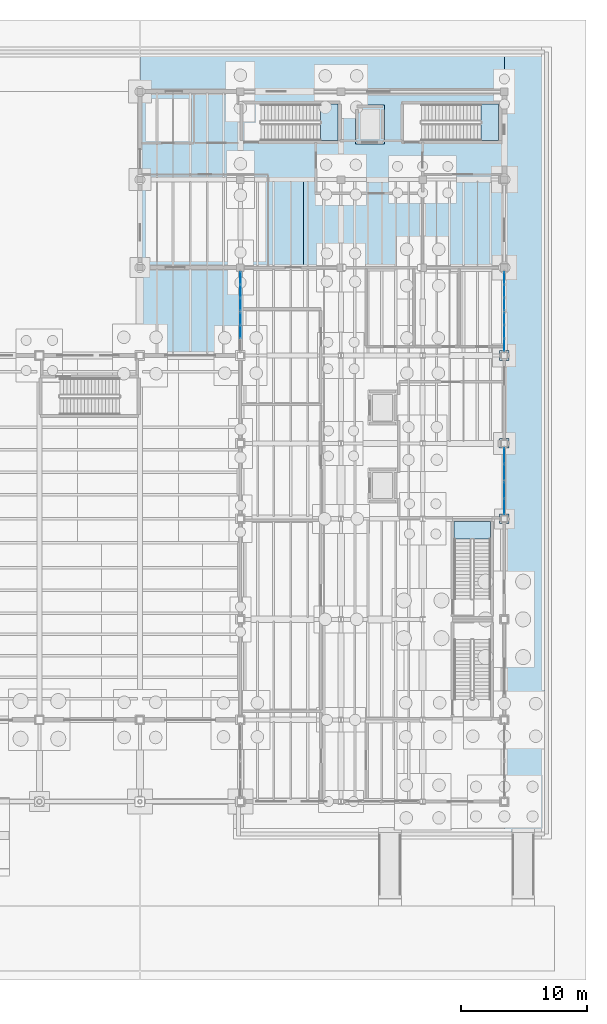
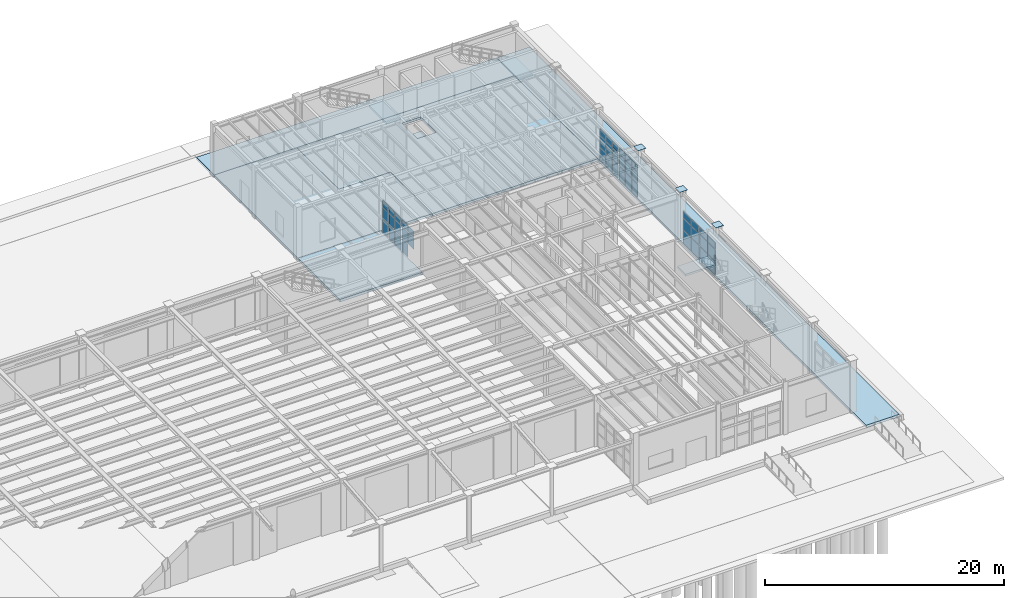
# One storey, part 54 of 86: 47 plates, 9 slabs, 9 elements without a shape of their own.
"""IFC4 building model written with IfcOpenShell, lengths in metres."""

from ifc_helpers import new_model, si_unit, direction, frame, origin, origin_2d, place, context, subcontext, project, spatial, polyline, rectangle, outline, extrude, material, layer, layer_set, material_profile, profile_set, type_object, element, aggregate, save


model = new_model("IFC4")

# Units and contexts
model_context = context("Model", 3, precision=1e-05, world=origin(), true_north=direction((0.0, 1.0)))
body_context = subcontext(model_context, "Body", "Model", "MODEL_VIEW")
ifc_project = project(units=[si_unit("LENGTHUNIT", "METRE"), si_unit("AREAUNIT", "SQUARE_METRE"), si_unit("VOLUMEUNIT", "CUBIC_METRE"), si_unit("PLANEANGLEUNIT", "RADIAN"), si_unit("MASSUNIT", "GRAM", prefix="KILO"), si_unit("THERMODYNAMICTEMPERATUREUNIT", "KELVIN"), si_unit("POWERUNIT", "WATT")], contexts=[model_context])

# Site, building, storey
site_placement = place(None, origin())
site = spatial("IfcSite", under=ifc_project, at=site_placement, CompositionType="ELEMENT")
building_placement = place(site_placement, origin())
building = spatial("IfcBuilding", under=site, at=building_placement, Name="Zhenchuan Central Fire Station", CompositionType="ELEMENT")
storey_placement = place(building_placement, frame((0.0, 0.0, 0.449951171875)))
storey = spatial("IfcBuildingStorey", under=building, at=storey_placement, Name="L01", CompositionType="ELEMENT", Elevation=0.449951171875)

# Curtain wall, plates
ifc_material_1 = material(Name="Anodised aluminium and low-E glazing", Category="aluminium")
curtain_wall_type_1 = type_object("IfcCurtainWallType", Name="CW-MOD-07", PredefinedType="USERDEFINED", material=ifc_material_1)
curtain_wall_1_placement = place(storey_placement, origin())
curtain_wall_1 = element("IfcCurtainWall", 1, at=curtain_wall_1_placement, inside=storey, type_object=curtain_wall_type_1, Name="L01 Unitised Curtain Wall 076", ObjectType="UNITISED GLAZING", PredefinedType="USERDEFINED")
ifc_material_2 = material(Name="Laminated low-E double glazing", Category="glass")
ifc_layer_1 = layer(ifc_material_2, 0.011962890625, Name="Laminated low-E double glazing", Category="glass")
ifc_layer_set_1 = layer_set([ifc_layer_1], Name="Laminated low-E double glazing")
plate_type_1 = type_object("IfcPlateType", Name="CW-PNL12", PredefinedType="CURTAIN_PANEL", material=ifc_layer_set_1)
plate_1_placement = place(storey_placement, frame((161.0, 23.481689453125, 0.06103515625), z_axis=(0.0, 0.0, 1.0), x_axis=(0.0, 1.0, 0.0)))
plate_1 = element("IfcPlate", 2, at=plate_1_placement, type_object=plate_type_1, Name="CW-07 panel 1.1", PredefinedType="CURTAIN_PANEL", context=body_context, shape_type="SweptSolid", body=[
    extrude(rectangle(XDim=1.2333984375, YDim=0.011962890625, at=origin_2d()), origin(), (0.0, 0.0, 1.0), 1.33447265625),
])
plate_2_placement = place(storey_placement, frame((161.0, 23.481689453125, 1.46044921875), z_axis=(0.0, 0.0, 1.0), x_axis=(0.0, 1.0, 0.0)))
plate_2 = element("IfcPlate", 3, at=plate_2_placement, type_object=plate_type_1, Name="CW-07 panel 1.2", PredefinedType="CURTAIN_PANEL", context=body_context, shape_type="SweptSolid", body=[
    extrude(rectangle(XDim=1.2333984375, YDim=0.011962890625, at=origin_2d()), origin(), (0.0, 0.0, 1.0), 1.158935546875),
])
plate_3_placement = place(storey_placement, frame((161.0, 23.481689453125, 2.6845703125), z_axis=(0.0, 0.0, 1.0), x_axis=(0.0, 1.0, 0.0)))
plate_3 = element("IfcPlate", 4, at=plate_3_placement, type_object=plate_type_1, Name="CW-07 panel 1.3", PredefinedType="CURTAIN_PANEL", context=body_context, shape_type="SweptSolid", body=[
    extrude(rectangle(XDim=1.2333984375, YDim=0.011962890625, at=origin_2d()), origin(), (0.0, 0.0, 1.0), 0.650390625),
])
plate_4_placement = place(storey_placement, frame((161.0, 24.7802734375, 0.06103515625), z_axis=(0.0, 0.0, 1.0), x_axis=(0.0, 1.0, 0.0)))
plate_4 = element("IfcPlate", 5, at=plate_4_placement, type_object=plate_type_1, Name="CW-07 panel 2.1", PredefinedType="CURTAIN_PANEL", context=body_context, shape_type="SweptSolid", body=[
    extrude(rectangle(XDim=1.2333984375, YDim=0.011962890625, at=origin_2d()), origin(), (0.0, 0.0, 1.0), 1.33447265625),
])
plate_5_placement = place(storey_placement, frame((161.0, 24.7802734375, 1.46044921875), z_axis=(0.0, 0.0, 1.0), x_axis=(0.0, 1.0, 0.0)))
plate_5 = element("IfcPlate", 6, at=plate_5_placement, type_object=plate_type_1, Name="CW-07 panel 2.2", PredefinedType="CURTAIN_PANEL", context=body_context, shape_type="SweptSolid", body=[
    extrude(rectangle(XDim=1.2333984375, YDim=0.011962890625, at=origin_2d()), origin(), (0.0, 0.0, 1.0), 1.158935546875),
])
plate_6_placement = place(storey_placement, frame((161.0, 24.7802734375, 2.6845703125), z_axis=(0.0, 0.0, 1.0), x_axis=(0.0, 1.0, 0.0)))
plate_6 = element("IfcPlate", 7, at=plate_6_placement, type_object=plate_type_1, Name="CW-07 panel 2.3", PredefinedType="CURTAIN_PANEL", context=body_context, shape_type="SweptSolid", body=[
    extrude(rectangle(XDim=1.2333984375, YDim=0.011962890625, at=origin_2d()), origin(), (0.0, 0.0, 1.0), 0.650390625),
])
aggregate(curtain_wall_1, [plate_1, plate_2, plate_3, plate_4, plate_5, plate_6])

curtain_wall_type_2 = type_object("IfcCurtainWallType", Name="CW-MOD-08", PredefinedType="USERDEFINED", material=ifc_material_1)
curtain_wall_2_placement = place(storey_placement, origin())
curtain_wall_2 = element("IfcCurtainWall", 8, at=curtain_wall_2_placement, inside=storey, type_object=curtain_wall_type_2, Name="L01 Unitised Curtain Wall 077", ObjectType="UNITISED GLAZING", PredefinedType="USERDEFINED")
plate_7_placement = place(storey_placement, frame((161.0, 26.2197265625, 0.06103515625), z_axis=(0.0, 0.0, 1.0), x_axis=(0.0, 1.0, 0.0)))
plate_7 = element("IfcPlate", 9, at=plate_7_placement, type_object=plate_type_1, Name="CW-08 panel 1.1", PredefinedType="CURTAIN_PANEL", context=body_context, shape_type="SweptSolid", body=[
    extrude(rectangle(XDim=1.2333984375, YDim=0.011962890625, at=origin_2d()), origin(), (0.0, 0.0, 1.0), 1.33447265625),
])
plate_8_placement = place(storey_placement, frame((161.0, 26.2197265625, 1.46044921875), z_axis=(0.0, 0.0, 1.0), x_axis=(0.0, 1.0, 0.0)))
plate_8 = element("IfcPlate", 10, at=plate_8_placement, type_object=plate_type_1, Name="CW-08 panel 1.2", PredefinedType="CURTAIN_PANEL", context=body_context, shape_type="SweptSolid", body=[
    extrude(rectangle(XDim=1.2333984375, YDim=0.011962890625, at=origin_2d()), origin(), (0.0, 0.0, 1.0), 1.158935546875),
])
plate_9_placement = place(storey_placement, frame((161.0, 26.2197265625, 2.6845703125), z_axis=(0.0, 0.0, 1.0), x_axis=(0.0, 1.0, 0.0)))
plate_9 = element("IfcPlate", 11, at=plate_9_placement, type_object=plate_type_1, Name="CW-08 panel 1.3", PredefinedType="CURTAIN_PANEL", context=body_context, shape_type="SweptSolid", body=[
    extrude(rectangle(XDim=1.2333984375, YDim=0.011962890625, at=origin_2d()), origin(), (0.0, 0.0, 1.0), 0.650390625),
])
plate_10_placement = place(storey_placement, frame((161.0, 27.518310546875, 0.06103515625), z_axis=(0.0, 0.0, 1.0), x_axis=(0.0, 1.0, 0.0)))
plate_10 = element("IfcPlate", 12, at=plate_10_placement, type_object=plate_type_1, Name="CW-08 panel 2.1", PredefinedType="CURTAIN_PANEL", context=body_context, shape_type="SweptSolid", body=[
    extrude(rectangle(XDim=1.2333984375, YDim=0.011962890625, at=origin_2d()), origin(), (0.0, 0.0, 1.0), 1.33447265625),
])
plate_11_placement = place(storey_placement, frame((161.0, 27.518310546875, 1.46044921875), z_axis=(0.0, 0.0, 1.0), x_axis=(0.0, 1.0, 0.0)))
plate_11 = element("IfcPlate", 13, at=plate_11_placement, type_object=plate_type_1, Name="CW-08 panel 2.2", PredefinedType="CURTAIN_PANEL", context=body_context, shape_type="SweptSolid", body=[
    extrude(rectangle(XDim=1.2333984375, YDim=0.011962890625, at=origin_2d()), origin(), (0.0, 0.0, 1.0), 1.158935546875),
])
plate_12_placement = place(storey_placement, frame((161.0, 27.518310546875, 2.6845703125), z_axis=(0.0, 0.0, 1.0), x_axis=(0.0, 1.0, 0.0)))
plate_12 = element("IfcPlate", 14, at=plate_12_placement, type_object=plate_type_1, Name="CW-08 panel 2.3", PredefinedType="CURTAIN_PANEL", context=body_context, shape_type="SweptSolid", body=[
    extrude(rectangle(XDim=1.2333984375, YDim=0.011962890625, at=origin_2d()), origin(), (0.0, 0.0, 1.0), 0.650390625),
])
aggregate(curtain_wall_2, [plate_7, plate_8, plate_9, plate_10, plate_11, plate_12])

curtain_wall_type_3 = type_object("IfcCurtainWallType", Name="CW-MOD-11", PredefinedType="USERDEFINED", material=ifc_material_1)
curtain_wall_3_placement = place(storey_placement, origin())
curtain_wall_3 = element("IfcCurtainWall", 15, at=curtain_wall_3_placement, inside=storey, type_object=curtain_wall_type_3, Name="L01 Unitised Curtain Wall 078", ObjectType="UNITISED GLAZING", PredefinedType="USERDEFINED")
plate_13_placement = place(storey_placement, frame((161.0, 36.34326171875, 0.06103515625), z_axis=(0.0, 0.0, 1.0), x_axis=(0.0, 1.0, 0.0)))
plate_13 = element("IfcPlate", 16, at=plate_13_placement, type_object=plate_type_1, Name="CW-11 panel 1.1", PredefinedType="CURTAIN_PANEL", context=body_context, shape_type="SweptSolid", body=[
    extrude(rectangle(XDim=0.95654296875, YDim=0.011962890625, at=origin_2d()), origin(), (0.0, 0.0, 1.0), 1.33447265625),
])
plate_14_placement = place(storey_placement, frame((161.0, 36.34326171875, 1.46044921875), z_axis=(0.0, 0.0, 1.0), x_axis=(0.0, 1.0, 0.0)))
plate_14 = element("IfcPlate", 17, at=plate_14_placement, type_object=plate_type_1, Name="CW-11 panel 1.2", PredefinedType="CURTAIN_PANEL", context=body_context, shape_type="SweptSolid", body=[
    extrude(rectangle(XDim=0.95654296875, YDim=0.011962890625, at=origin_2d()), origin(), (0.0, 0.0, 1.0), 1.158935546875),
])
plate_15_placement = place(storey_placement, frame((161.0, 36.34326171875, 2.6845703125), z_axis=(0.0, 0.0, 1.0), x_axis=(0.0, 1.0, 0.0)))
plate_15 = element("IfcPlate", 18, at=plate_15_placement, type_object=plate_type_1, Name="CW-11 panel 1.3", PredefinedType="CURTAIN_PANEL", context=body_context, shape_type="SweptSolid", body=[
    extrude(rectangle(XDim=0.95654296875, YDim=0.011962890625, at=origin_2d()), origin(), (0.0, 0.0, 1.0), 0.650390625),
])
plate_16_placement = place(storey_placement, frame((161.0, 37.381103515625, 0.06103515625), z_axis=(0.0, 0.0, 1.0), x_axis=(0.0, 1.0, 0.0)))
plate_16 = element("IfcPlate", 19, at=plate_16_placement, type_object=plate_type_1, Name="CW-11 panel 2.1", PredefinedType="CURTAIN_PANEL", context=body_context, shape_type="SweptSolid", body=[
    extrude(rectangle(XDim=0.989013671875, YDim=0.011962890625, at=origin_2d()), origin(), (0.0, 0.0, 1.0), 1.33447265625),
])
plate_17_placement = place(storey_placement, frame((161.0, 37.381103515625, 1.46044921875), z_axis=(0.0, 0.0, 1.0), x_axis=(0.0, 1.0, 0.0)))
plate_17 = element("IfcPlate", 20, at=plate_17_placement, type_object=plate_type_1, Name="CW-11 panel 2.2", PredefinedType="CURTAIN_PANEL", context=body_context, shape_type="SweptSolid", body=[
    extrude(rectangle(XDim=0.989013671875, YDim=0.011962890625, at=origin_2d()), origin(), (0.0, 0.0, 1.0), 1.158935546875),
])
plate_18_placement = place(storey_placement, frame((161.0, 37.381103515625, 2.6845703125), z_axis=(0.0, 0.0, 1.0), x_axis=(0.0, 1.0, 0.0)))
plate_18 = element("IfcPlate", 21, at=plate_18_placement, type_object=plate_type_1, Name="CW-11 panel 2.3", PredefinedType="CURTAIN_PANEL", context=body_context, shape_type="SweptSolid", body=[
    extrude(rectangle(XDim=0.989013671875, YDim=0.011962890625, at=origin_2d()), origin(), (0.0, 0.0, 1.0), 0.650390625),
])
plate_19_placement = place(storey_placement, frame((161.0, 38.418701171875, 0.06103515625), z_axis=(0.0, 0.0, 1.0), x_axis=(0.0, 1.0, 0.0)))
plate_19 = element("IfcPlate", 22, at=plate_19_placement, type_object=plate_type_1, Name="CW-11 panel 3.1", PredefinedType="CURTAIN_PANEL", context=body_context, shape_type="SweptSolid", body=[
    extrude(rectangle(XDim=0.95654296875, YDim=0.011962890625, at=origin_2d()), origin(), (0.0, 0.0, 1.0), 1.33447265625),
])
plate_20_placement = place(storey_placement, frame((161.0, 38.418701171875, 1.46044921875), z_axis=(0.0, 0.0, 1.0), x_axis=(0.0, 1.0, 0.0)))
plate_20 = element("IfcPlate", 23, at=plate_20_placement, type_object=plate_type_1, Name="CW-11 panel 3.2", PredefinedType="CURTAIN_PANEL", context=body_context, shape_type="SweptSolid", body=[
    extrude(rectangle(XDim=0.95654296875, YDim=0.011962890625, at=origin_2d()), origin(), (0.0, 0.0, 1.0), 1.158935546875),
])
plate_21_placement = place(storey_placement, frame((161.0, 38.418701171875, 2.6845703125), z_axis=(0.0, 0.0, 1.0), x_axis=(0.0, 1.0, 0.0)))
plate_21 = element("IfcPlate", 24, at=plate_21_placement, type_object=plate_type_1, Name="CW-11 panel 3.3", PredefinedType="CURTAIN_PANEL", context=body_context, shape_type="SweptSolid", body=[
    extrude(rectangle(XDim=0.95654296875, YDim=0.011962890625, at=origin_2d()), origin(), (0.0, 0.0, 1.0), 0.650390625),
])
aggregate(curtain_wall_3, [plate_13, plate_14, plate_15, plate_16, plate_17, plate_18, plate_19, plate_20, plate_21])

curtain_wall_type_4 = type_object("IfcCurtainWallType", Name="CW-MOD-12", PredefinedType="USERDEFINED", material=ifc_material_1)
curtain_wall_4_placement = place(storey_placement, origin())
curtain_wall_4 = element("IfcCurtainWall", 25, at=curtain_wall_4_placement, inside=storey, type_object=curtain_wall_type_4, Name="L01 Unitised Curtain Wall 079", ObjectType="UNITISED GLAZING", PredefinedType="USERDEFINED")
plate_22_placement = place(storey_placement, frame((161.0, 39.583740234375, 0.07080078125), z_axis=(0.0, 0.0, 1.0), x_axis=(0.0, 1.0, 0.0)))
plate_22 = element("IfcPlate", 26, at=plate_22_placement, type_object=plate_type_1, Name="CW-12 panel 1.1", PredefinedType="CURTAIN_PANEL", context=body_context, shape_type="SweptSolid", body=[
    extrude(rectangle(XDim=0.94140625, YDim=0.011962890625, at=origin_2d()), origin(), (0.0, 0.0, 1.0), 1.319580078125),
])
plate_23_placement = place(storey_placement, frame((161.0, 39.583740234375, 1.465576171875), z_axis=(0.0, 0.0, 1.0), x_axis=(0.0, 1.0, 0.0)))
plate_23 = element("IfcPlate", 27, at=plate_23_placement, type_object=plate_type_1, Name="CW-12 panel 1.2", PredefinedType="CURTAIN_PANEL", context=body_context, shape_type="SweptSolid", body=[
    extrude(rectangle(XDim=0.94140625, YDim=0.011962890625, at=origin_2d()), origin(), (0.0, 0.0, 1.0), 1.14892578125),
])
plate_24_placement = place(storey_placement, frame((161.0, 39.583740234375, 2.689453125), z_axis=(0.0, 0.0, 1.0), x_axis=(0.0, 1.0, 0.0)))
plate_24 = element("IfcPlate", 28, at=plate_24_placement, type_object=plate_type_1, Name="CW-12 panel 1.3", PredefinedType="CURTAIN_PANEL", context=body_context, shape_type="SweptSolid", body=[
    extrude(rectangle(XDim=0.94140625, YDim=0.011962890625, at=origin_2d()), origin(), (0.0, 0.0, 1.0), 0.635498046875),
])
plate_25_placement = place(storey_placement, frame((161.0, 40.618896484375, 0.07080078125), z_axis=(0.0, 0.0, 1.0), x_axis=(0.0, 1.0, 0.0)))
plate_25 = element("IfcPlate", 29, at=plate_25_placement, type_object=plate_type_1, Name="CW-12 panel 2.1", PredefinedType="CURTAIN_PANEL", context=body_context, shape_type="SweptSolid", body=[
    extrude(rectangle(XDim=0.97900390625, YDim=0.011962890625, at=origin_2d()), origin(), (0.0, 0.0, 1.0), 1.319580078125),
])
plate_26_placement = place(storey_placement, frame((161.0, 40.618896484375, 1.465576171875), z_axis=(0.0, 0.0, 1.0), x_axis=(0.0, 1.0, 0.0)))
plate_26 = element("IfcPlate", 30, at=plate_26_placement, type_object=plate_type_1, Name="CW-12 panel 2.2", PredefinedType="CURTAIN_PANEL", context=body_context, shape_type="SweptSolid", body=[
    extrude(rectangle(XDim=0.97900390625, YDim=0.011962890625, at=origin_2d()), origin(), (0.0, 0.0, 1.0), 1.14892578125),
])
plate_27_placement = place(storey_placement, frame((161.0, 40.618896484375, 2.689453125), z_axis=(0.0, 0.0, 1.0), x_axis=(0.0, 1.0, 0.0)))
plate_27 = element("IfcPlate", 31, at=plate_27_placement, type_object=plate_type_1, Name="CW-12 panel 2.3", PredefinedType="CURTAIN_PANEL", context=body_context, shape_type="SweptSolid", body=[
    extrude(rectangle(XDim=0.97900390625, YDim=0.011962890625, at=origin_2d()), origin(), (0.0, 0.0, 1.0), 0.635498046875),
])
plate_28_placement = place(storey_placement, frame((161.0, 41.654296875, 0.07080078125), z_axis=(0.0, 0.0, 1.0), x_axis=(0.0, 1.0, 0.0)))
plate_28 = element("IfcPlate", 32, at=plate_28_placement, type_object=plate_type_1, Name="CW-12 panel 3.1", PredefinedType="CURTAIN_PANEL", context=body_context, shape_type="SweptSolid", body=[
    extrude(rectangle(XDim=0.94140625, YDim=0.011962890625, at=origin_2d()), origin(), (0.0, 0.0, 1.0), 1.319580078125),
])
plate_29_placement = place(storey_placement, frame((161.0, 41.654296875, 1.465576171875), z_axis=(0.0, 0.0, 1.0), x_axis=(0.0, 1.0, 0.0)))
plate_29 = element("IfcPlate", 33, at=plate_29_placement, type_object=plate_type_1, Name="CW-12 panel 3.2", PredefinedType="CURTAIN_PANEL", context=body_context, shape_type="SweptSolid", body=[
    extrude(rectangle(XDim=0.94140625, YDim=0.011962890625, at=origin_2d()), origin(), (0.0, 0.0, 1.0), 1.14892578125),
])
plate_30_placement = place(storey_placement, frame((161.0, 41.654296875, 2.689453125), z_axis=(0.0, 0.0, 1.0), x_axis=(0.0, 1.0, 0.0)))
plate_30 = element("IfcPlate", 34, at=plate_30_placement, type_object=plate_type_1, Name="CW-12 panel 3.3", PredefinedType="CURTAIN_PANEL", context=body_context, shape_type="SweptSolid", body=[
    extrude(rectangle(XDim=0.94140625, YDim=0.011962890625, at=origin_2d()), origin(), (0.0, 0.0, 1.0), 0.635498046875),
])
aggregate(curtain_wall_4, [plate_22, plate_23, plate_24, plate_25, plate_26, plate_27, plate_28, plate_29, plate_30])

curtain_wall_type_5 = type_object("IfcCurtainWallType", Name="CW-MOD-10", PredefinedType="USERDEFINED", material=ifc_material_1)
curtain_wall_5_placement = place(storey_placement, origin())
curtain_wall_5 = element("IfcCurtainWall", 35, at=curtain_wall_5_placement, inside=storey, type_object=curtain_wall_type_5, Name="L01 Unitised Curtain Wall 082", ObjectType="UNITISED GLAZING", PredefinedType="USERDEFINED")
plate_31_placement = place(storey_placement, frame((140.0, 37.381103515625, 1.46044921875), z_axis=(0.0, 0.0, 1.0), x_axis=(0.0, 1.0, 0.0)))
plate_31 = element("IfcPlate", 36, at=plate_31_placement, type_object=plate_type_1, Name="CW-10 panel 2.2", PredefinedType="CURTAIN_PANEL", context=body_context, shape_type="SweptSolid", body=[
    extrude(rectangle(XDim=0.989013671875, YDim=0.011962890625, at=origin_2d()), origin(), (0.0, 0.0, 1.0), 1.158935546875),
])
plate_32_placement = place(storey_placement, frame((140.0, 37.381103515625, 2.6845703125), z_axis=(0.0, 0.0, 1.0), x_axis=(0.0, 1.0, 0.0)))
plate_32 = element("IfcPlate", 37, at=plate_32_placement, type_object=plate_type_1, Name="CW-10 panel 2.3", PredefinedType="CURTAIN_PANEL", context=body_context, shape_type="SweptSolid", body=[
    extrude(rectangle(XDim=0.989013671875, YDim=0.011962890625, at=origin_2d()), origin(), (0.0, 0.0, 1.0), 0.650390625),
])
plate_33_placement = place(storey_placement, frame((140.0, 38.418701171875, 0.06103515625), z_axis=(0.0, 0.0, 1.0), x_axis=(0.0, 1.0, 0.0)))
plate_33 = element("IfcPlate", 38, at=plate_33_placement, type_object=plate_type_1, Name="CW-10 panel 3.1", PredefinedType="CURTAIN_PANEL", context=body_context, shape_type="SweptSolid", body=[
    extrude(rectangle(XDim=0.95654296875, YDim=0.011962890625, at=origin_2d()), origin(), (0.0, 0.0, 1.0), 1.33447265625),
])
plate_34_placement = place(storey_placement, frame((140.0, 38.418701171875, 1.46044921875), z_axis=(0.0, 0.0, 1.0), x_axis=(0.0, 1.0, 0.0)))
plate_34 = element("IfcPlate", 39, at=plate_34_placement, type_object=plate_type_1, Name="CW-10 panel 3.2", PredefinedType="CURTAIN_PANEL", context=body_context, shape_type="SweptSolid", body=[
    extrude(rectangle(XDim=0.95654296875, YDim=0.011962890625, at=origin_2d()), origin(), (0.0, 0.0, 1.0), 1.158935546875),
])
plate_35_placement = place(storey_placement, frame((140.0, 38.418701171875, 2.6845703125), z_axis=(0.0, 0.0, 1.0), x_axis=(0.0, 1.0, 0.0)))
plate_35 = element("IfcPlate", 40, at=plate_35_placement, type_object=plate_type_1, Name="CW-10 panel 3.3", PredefinedType="CURTAIN_PANEL", context=body_context, shape_type="SweptSolid", body=[
    extrude(rectangle(XDim=0.95654296875, YDim=0.011962890625, at=origin_2d()), origin(), (0.0, 0.0, 1.0), 0.650390625),
])
aggregate(curtain_wall_5, [plate_31, plate_32, plate_33, plate_34, plate_35])

curtain_wall_6_placement = place(storey_placement, origin())
curtain_wall_6 = element("IfcCurtainWall", 41, at=curtain_wall_6_placement, inside=storey, type_object=curtain_wall_type_3, Name="L01 Unitised Curtain Wall 083", ObjectType="UNITISED GLAZING", PredefinedType="USERDEFINED")
plate_36_placement = place(storey_placement, frame((140.0, 39.581298828125, 0.06103515625), z_axis=(0.0, 0.0, 1.0), x_axis=(0.0, 1.0, 0.0)))
plate_36 = element("IfcPlate", 42, at=plate_36_placement, type_object=plate_type_1, Name="CW-11 panel 1.1", PredefinedType="CURTAIN_PANEL", context=body_context, shape_type="SweptSolid", body=[
    extrude(rectangle(XDim=0.95654296875, YDim=0.011962890625, at=origin_2d()), origin(), (0.0, 0.0, 1.0), 1.33447265625),
])
plate_37_placement = place(storey_placement, frame((140.0, 39.581298828125, 1.46044921875), z_axis=(0.0, 0.0, 1.0), x_axis=(0.0, 1.0, 0.0)))
plate_37 = element("IfcPlate", 43, at=plate_37_placement, type_object=plate_type_1, Name="CW-11 panel 1.2", PredefinedType="CURTAIN_PANEL", context=body_context, shape_type="SweptSolid", body=[
    extrude(rectangle(XDim=0.95654296875, YDim=0.011962890625, at=origin_2d()), origin(), (0.0, 0.0, 1.0), 1.158935546875),
])
plate_38_placement = place(storey_placement, frame((140.0, 39.581298828125, 2.6845703125), z_axis=(0.0, 0.0, 1.0), x_axis=(0.0, 1.0, 0.0)))
plate_38 = element("IfcPlate", 44, at=plate_38_placement, type_object=plate_type_1, Name="CW-11 panel 1.3", PredefinedType="CURTAIN_PANEL", context=body_context, shape_type="SweptSolid", body=[
    extrude(rectangle(XDim=0.95654296875, YDim=0.011962890625, at=origin_2d()), origin(), (0.0, 0.0, 1.0), 0.650390625),
])
plate_39_placement = place(storey_placement, frame((140.0, 40.618896484375, 0.06103515625), z_axis=(0.0, 0.0, 1.0), x_axis=(0.0, 1.0, 0.0)))
plate_39 = element("IfcPlate", 45, at=plate_39_placement, type_object=plate_type_1, Name="CW-11 panel 2.1", PredefinedType="CURTAIN_PANEL", context=body_context, shape_type="SweptSolid", body=[
    extrude(rectangle(XDim=0.989013671875, YDim=0.011962890625, at=origin_2d()), origin(), (0.0, 0.0, 1.0), 1.33447265625),
])
plate_40_placement = place(storey_placement, frame((140.0, 40.618896484375, 1.46044921875), z_axis=(0.0, 0.0, 1.0), x_axis=(0.0, 1.0, 0.0)))
plate_40 = element("IfcPlate", 46, at=plate_40_placement, type_object=plate_type_1, Name="CW-11 panel 2.2", PredefinedType="CURTAIN_PANEL", context=body_context, shape_type="SweptSolid", body=[
    extrude(rectangle(XDim=0.989013671875, YDim=0.011962890625, at=origin_2d()), origin(), (0.0, 0.0, 1.0), 1.158935546875),
])
plate_41_placement = place(storey_placement, frame((140.0, 40.618896484375, 2.6845703125), z_axis=(0.0, 0.0, 1.0), x_axis=(0.0, 1.0, 0.0)))
plate_41 = element("IfcPlate", 47, at=plate_41_placement, type_object=plate_type_1, Name="CW-11 panel 2.3", PredefinedType="CURTAIN_PANEL", context=body_context, shape_type="SweptSolid", body=[
    extrude(rectangle(XDim=0.989013671875, YDim=0.011962890625, at=origin_2d()), origin(), (0.0, 0.0, 1.0), 0.650390625),
])
plate_42_placement = place(storey_placement, frame((140.0, 41.65673828125, 0.06103515625), z_axis=(0.0, 0.0, 1.0), x_axis=(0.0, 1.0, 0.0)))
plate_42 = element("IfcPlate", 48, at=plate_42_placement, type_object=plate_type_1, Name="CW-11 panel 3.1", PredefinedType="CURTAIN_PANEL", context=body_context, shape_type="SweptSolid", body=[
    extrude(rectangle(XDim=0.95654296875, YDim=0.011962890625, at=origin_2d()), origin(), (0.0, 0.0, 1.0), 1.33447265625),
])
plate_43_placement = place(storey_placement, frame((140.0, 41.65673828125, 1.46044921875), z_axis=(0.0, 0.0, 1.0), x_axis=(0.0, 1.0, 0.0)))
plate_43 = element("IfcPlate", 49, at=plate_43_placement, type_object=plate_type_1, Name="CW-11 panel 3.2", PredefinedType="CURTAIN_PANEL", context=body_context, shape_type="SweptSolid", body=[
    extrude(rectangle(XDim=0.95654296875, YDim=0.011962890625, at=origin_2d()), origin(), (0.0, 0.0, 1.0), 1.158935546875),
])
plate_44_placement = place(storey_placement, frame((140.0, 41.65673828125, 2.6845703125), z_axis=(0.0, 0.0, 1.0), x_axis=(0.0, 1.0, 0.0)))
plate_44 = element("IfcPlate", 50, at=plate_44_placement, type_object=plate_type_1, Name="CW-11 panel 3.3", PredefinedType="CURTAIN_PANEL", context=body_context, shape_type="SweptSolid", body=[
    extrude(rectangle(XDim=0.95654296875, YDim=0.011962890625, at=origin_2d()), origin(), (0.0, 0.0, 1.0), 0.650390625),
])
aggregate(curtain_wall_6, [plate_36, plate_37, plate_38, plate_39, plate_40, plate_41, plate_42, plate_43, plate_44])

# Plates
ifc_material_3 = material(Name="Steel Q355B", Category="steel")
ifc_material_profile = material_profile(ifc_material_3, rectangle(XDim=0.760009765625, YDim=0.760009765625, at=origin_2d()), Name="PL 760x760x40")
ifc_profile_set = profile_set([ifc_material_profile], Name="Steel Q355B")
plate_type_2 = type_object("IfcPlateType", Name="PL-BAS40", PredefinedType="SHEET", material=ifc_profile_set)
for number, where, z_axis, x_axis, name in (
    (51, (161.0, 22.5, 5.39599609375), (0.0, 0.0, 1.0), (1.0, 0.0, 0.0), "L01 Column 129 end cap plate B"),
    (52, (161.0, 28.5, 5.39599609375), (0.0, 0.0, 1.0), (1.0, 0.0, 0.0), "L01 Column 130 end cap plate B"),
    (53, (161.0, 35.5, 5.39599609375), (0.0, 0.0, 1.0), (1.0, 0.0, 0.0), "L01 Column 131 end cap plate B"),
):
    element("IfcPlate", number, at=place(storey_placement, frame(where, z_axis=z_axis, x_axis=x_axis)), inside=storey, type_object=plate_type_2, Name=name, PredefinedType="SHEET", context=body_context, shape_type="SweptSolid", body=[
        extrude(rectangle(XDim=0.760009765625, YDim=0.760009765625, at=origin_2d()), origin(), (0.0, 0.0, 1.0), 0.02001953125),
    ])

# Slabs
ifc_material_4 = material(Name="Concrete C35/45", Category="concrete")
ifc_layer_2 = layer(ifc_material_4, 0.25, Name="Concrete C35/45", Category="concrete")
ifc_layer_set_2 = layer_set([ifc_layer_2], Name="Concrete C35/45")
slab_type_1 = type_object("IfcSlabType", Name="SL-BASE250", PredefinedType="BASESLAB", material=ifc_layer_set_2)
slab_1_placement = place(storey_placement, frame((0.0, 0.0, -0.25)))
element("IfcSlab", 54, at=slab_1_placement, inside=storey, type_object=slab_type_1, Name="L01 Drill Tower Base Panel A", PredefinedType="BASESLAB", context=body_context, shape_type="SweptSolid", body=[
    extrude(outline(polyline([(132.02490234375, 42.5), (144.9970703125, 42.5), (144.9970703125, 49.4970703125), (139.9970703125, 49.4970703125), (139.9970703125, 56.5), (132.02490234375, 56.5), (132.02490234375, 42.5)])), origin(), (0.0, 0.0, 1.0), 0.25),
])
slab_2_placement = place(storey_placement, frame((0.0, 0.0, -0.25)))
element("IfcSlab", 55, at=slab_2_placement, inside=storey, type_object=slab_type_1, Name="L01 Drill Tower Base Panel B", PredefinedType="BASESLAB", context=body_context, shape_type="SweptSolid", body=[
    extrude(outline(polyline([(145.0029296875, 42.5), (161.0, 42.5), (161.0, 56.5), (140.0029296875, 56.5), (140.0029296875, 49.5029296875), (145.0029296875, 49.5029296875), (145.0029296875, 42.5)]), holes=[polyline([(149.39990234375, 52.60009765625), (151.199951171875, 52.60009765625), (151.199951171875, 55.199951171875), (149.39990234375, 55.199951171875), (149.39990234375, 52.60009765625)])]), origin(), (0.0, 0.0, 1.0), 0.25),
])
ifc_layer_3 = layer(ifc_material_4, 0.25, Name="Concrete C35/45", Category="concrete")
ifc_layer_set_3 = layer_set([ifc_layer_3], Name="Concrete C35/45")
slab_type_2 = type_object("IfcSlabType", Name="SL-BASE250-EXT", PredefinedType="BASESLAB", material=ifc_layer_set_3)
slab_3_placement = place(storey_placement, frame((0.0, 0.0, -1.89990234375)))
element("IfcSlab", 56, at=slab_3_placement, inside=storey, type_object=slab_type_2, Name="Lift FL-01 Pit Base Slab", PredefinedType="BASESLAB", context=body_context, shape_type="SweptSolid", body=[
    extrude(outline(polyline([(149.14990234375, 52.35009765625), (151.449951171875, 52.35009765625), (151.449951171875, 55.449951171875), (149.14990234375, 55.449951171875), (149.14990234375, 52.35009765625)])), origin(), (0.0, 0.0, 1.0), 0.25),
])
slab_4_placement = place(storey_placement, frame((0.0, 0.0, -0.25)))
element("IfcSlab", 57, at=slab_4_placement, inside=storey, type_object=slab_type_2, Name="East Turnaround Courtyard Apron", PredefinedType="BASESLAB", context=body_context, shape_type="SweptSolid", body=[
    extrude(outline(polyline([(132.02490234375, 35.50390625), (139.99609375, 35.50390625), (139.99609375, 42.49609375), (132.02490234375, 42.49609375), (132.02490234375, 35.50390625)])), origin(), (0.0, 0.0, 1.0), 0.25),
])
slab_5_placement = place(storey_placement, frame((0.0, 0.0, -0.25)))
element("IfcSlab", 58, at=slab_5_placement, inside=storey, type_object=slab_type_2, Name="East Perimeter Escape Walkway Plinth", PredefinedType="BASESLAB", context=body_context, shape_type="SweptSolid", body=[
    extrude(outline(polyline([(161.00390625, -2.39990234375), (164.199951171875, -2.39990234375), (164.199951171875, 59.5), (161.00390625, 59.5), (161.00390625, -2.39990234375)])), origin(), (0.0, 0.0, 1.0), 0.25),
])
slab_6_placement = place(storey_placement, frame((0.0, 0.0, -0.25)))
element("IfcSlab", 59, at=slab_6_placement, inside=storey, type_object=slab_type_2, Name="North Perimeter Escape Walkway East", PredefinedType="BASESLAB", context=body_context, shape_type="SweptSolid", body=[
    extrude(outline(polyline([(132.02490234375, 56.50390625), (161.0, 56.50390625), (161.0, 59.5), (132.02490234375, 59.5), (132.02490234375, 56.50390625)])), origin(), (0.0, 0.0, 1.0), 0.25),
])

# Stair, slab
stair_type = type_object("IfcStairType", Name="ST-CORE-L01", PredefinedType="HALF_TURN_STAIR", material=ifc_material_4)
stair_1_placement = place(storey_placement, origin())
stair_1 = element("IfcStair", 60, at=stair_1_placement, inside=storey, type_object=stair_type, Name="L01 Headquarters North Exit Stair", PredefinedType="HALF_TURN_STAIR")
ifc_layer_4 = layer(ifc_material_4, 0.159912109375, Name="Concrete C35/45", Category="concrete")
ifc_layer_set_4 = layer_set([ifc_layer_4], Name="Concrete C35/45")
slab_type_3 = type_object("IfcSlabType", Name="SL-LND160", PredefinedType="LANDING", material=ifc_layer_set_4)
slab_7_placement = place(storey_placement, frame((0.0, 0.0, 2.5)))
slab_7 = element("IfcSlab", 61, at=slab_7_placement, type_object=slab_type_3, Name="ST-11 landing 1", PredefinedType="LANDING", context=body_context, shape_type="SweptSolid", body=[
    extrude(outline(polyline([(159.89990234375, 20.8798828125), (159.89990234375, 22.280029296875), (157.0, 22.280029296875), (157.0, 20.8798828125), (159.89990234375, 20.8798828125)])), origin(), (0.0, 0.0, 1.0), 0.199951171875),
])
aggregate(stair_1, [slab_7])

stair_2_placement = place(storey_placement, origin())
stair_2 = element("IfcStair", 62, at=stair_2_placement, inside=storey, type_object=stair_type, Name="L01 Drill Tower West Exit Stair", PredefinedType="HALF_TURN_STAIR")
slab_8_placement = place(storey_placement, frame((0.0, 0.0, 2.5)))
slab_8 = element("IfcSlab", 63, at=slab_8_placement, type_object=slab_type_3, Name="ST-12 landing 1", PredefinedType="LANDING", context=body_context, shape_type="SweptSolid", body=[
    extrude(outline(polyline([(146.3798828125, 52.60009765625), (147.780029296875, 52.60009765625), (147.780029296875, 55.5), (146.3798828125, 55.5), (146.3798828125, 52.60009765625)])), origin(), (0.0, 0.0, 1.0), 0.199951171875),
])
aggregate(stair_2, [slab_8])

stair_3_placement = place(storey_placement, origin())
stair_3 = element("IfcStair", 64, at=stair_3_placement, inside=storey, type_object=stair_type, Name="L01 Drill Tower East Exit Stair", PredefinedType="HALF_TURN_STAIR")
slab_9_placement = place(storey_placement, frame((0.0, 0.0, 2.5)))
slab_9 = element("IfcSlab", 65, at=slab_9_placement, type_object=slab_type_3, Name="ST-13 landing 1", PredefinedType="LANDING", context=body_context, shape_type="SweptSolid", body=[
    extrude(outline(polyline([(159.14990234375, 52.60009765625), (160.550048828125, 52.60009765625), (160.550048828125, 55.5), (159.14990234375, 55.5), (159.14990234375, 52.60009765625)])), origin(), (0.0, 0.0, 1.0), 0.199951171875),
])
aggregate(stair_3, [slab_9])

save(model, "model.ifc")
